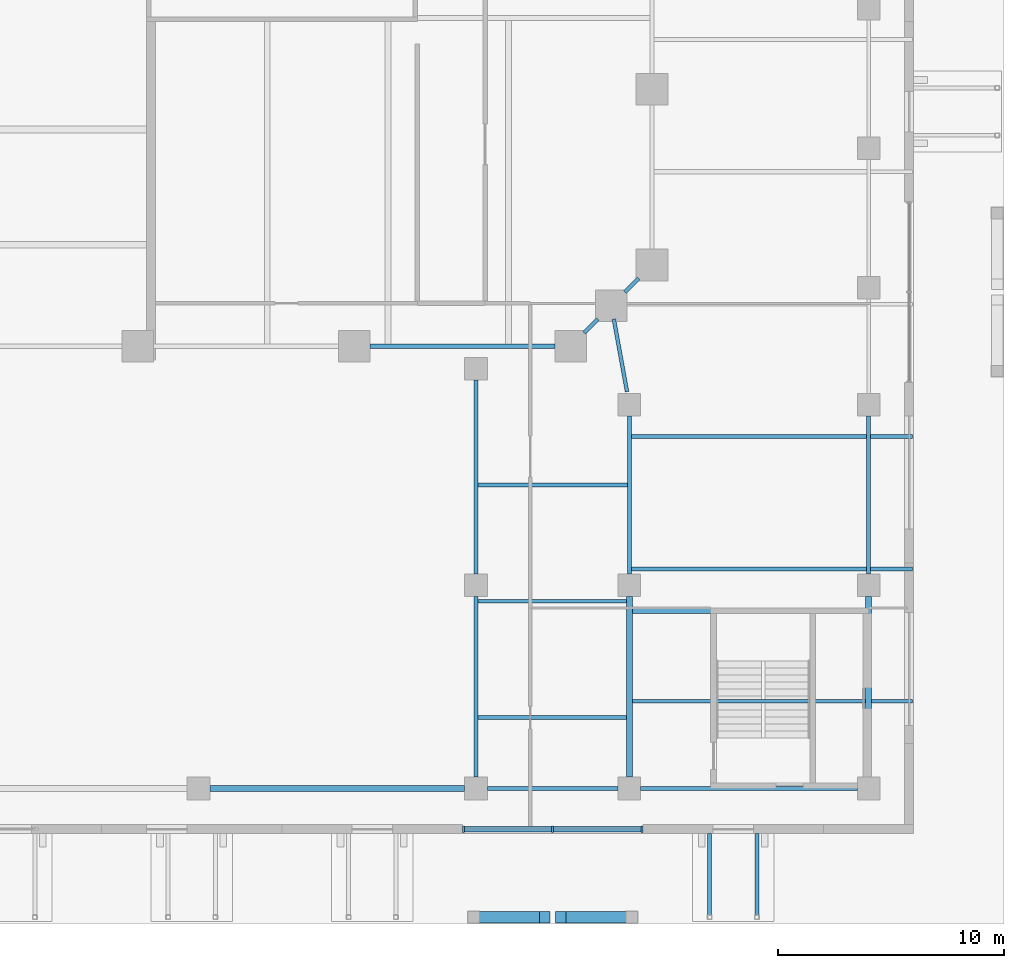
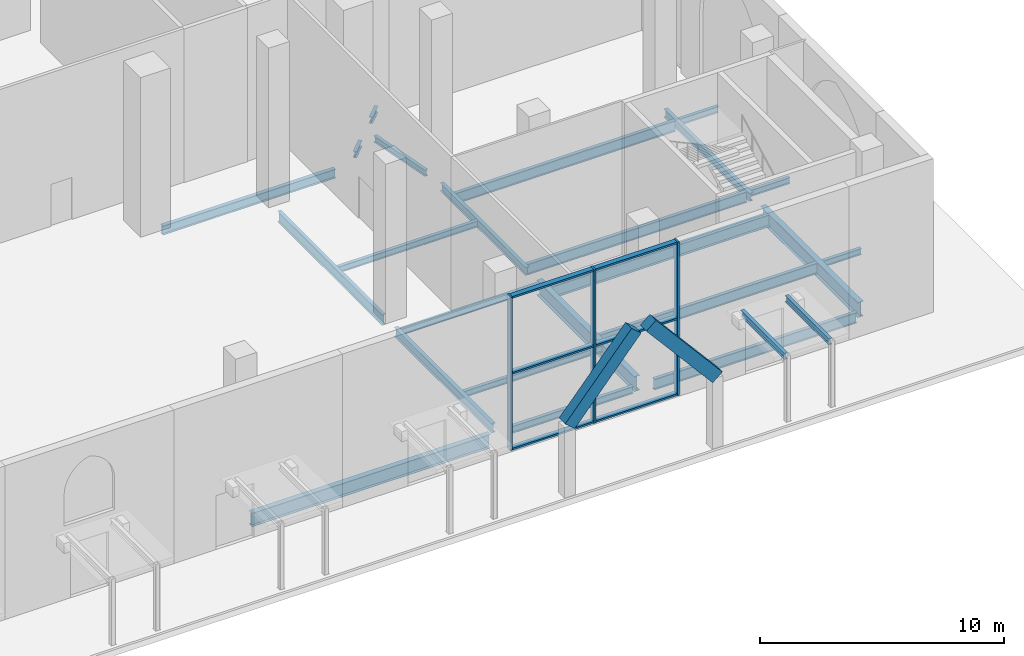
# One storey, part 20 of 38: 25 beams, 11 members, 1 element without a shape of its own.
"""IFC4 building model written with IfcOpenShell, lengths in metres."""

from ifc_helpers import new_model, si_unit, direction, frame, origin, origin_2d, place, context, subcontext, project, spatial, rectangle, i_section, extrude, material, material_profile, profile_set, type_object, element, aggregate, save


model = new_model("IFC4")

# Units and contexts
model_context = context("Model", 3, precision=1e-05, world=origin(), true_north=direction((0.0, 1.0)))
body_context = subcontext(model_context, "Body", "Model", "MODEL_VIEW")
ifc_project = project(units=[si_unit("LENGTHUNIT", "METRE"), si_unit("AREAUNIT", "SQUARE_METRE"), si_unit("VOLUMEUNIT", "CUBIC_METRE"), si_unit("PLANEANGLEUNIT", "RADIAN"), si_unit("MASSUNIT", "GRAM", prefix="KILO")], contexts=[model_context])

# Site, building, storey
site_placement = place(None, origin())
site = spatial("IfcSite", under=ifc_project, at=site_placement, CompositionType="ELEMENT")
building_placement = place(site_placement, origin())
building = spatial("IfcBuilding", under=site, at=building_placement, Name="Ogive Exchange Tower", CompositionType="ELEMENT")
storey_placement = place(building_placement, origin())
storey = spatial("IfcBuildingStorey", under=building, at=storey_placement, Name="L00", CompositionType="ELEMENT", Elevation=0.0)

# Members
ifc_material_1 = material(Name="Concrete C70/85", Category="concrete")
ifc_material_profile_1 = material_profile(ifc_material_1, rectangle(XDim=0.5, YDim=0.60009765625, at=origin_2d()), Name="PC 500x600")
ifc_profile_set_1 = profile_set([ifc_material_profile_1], Name="Concrete C70/85")
member_type_1 = type_object("IfcMemberType", Name="Arch rib 500x600", PredefinedType="USERDEFINED", material=ifc_profile_set_1)
for number, where, z_axis, x_axis, name in (
    (1, (24.5, -55.699951171875, 3.5), (0.64925670005, 0.0, 0.760569350842), (0.0, 1.0, 0.0), "Arch rib"),
    (2, (31.5, -55.699951171875, 3.5), (-0.64925670005, 0.0, 0.760569350842), (0.0, -1.0, 0.0), "Arch rib"),
):
    element("IfcMember", number, at=place(storey_placement, frame(where, z_axis=z_axis, x_axis=x_axis)), inside=storey, type_object=member_type_1, Name=name, ObjectType="ARCH RIB", PredefinedType="USERDEFINED", context=body_context, shape_type="SweptSolid", body=[
        extrude(rectangle(XDim=0.5, YDim=0.60009765625, at=origin_2d()), origin(), (0.0, 0.0, 1.0), 4.8515625),
    ])

# Curtain wall, members
ifc_material_2 = material(Name="Anodised aluminium and clear glass", Category="aluminium")
curtain_wall_type = type_object("IfcCurtainWallType", Name="Exchange hall glazing", PredefinedType="NOTDEFINED", material=ifc_material_2)
curtain_wall_placement = place(storey_placement, origin())
curtain_wall = element("IfcCurtainWall", 3, at=curtain_wall_placement, inside=storey, type_object=curtain_wall_type, Name="Exchange hall glazing run HG10", PredefinedType="NOTDEFINED")
ifc_material_3 = material(Name="Anodised aluminium", Category="aluminium")
ifc_material_profile_2 = material_profile(ifc_material_3, rectangle(XDim=0.300048828125, YDim=0.090087890625, at=origin_2d()), Name="AL 90x300")
ifc_profile_set_2 = profile_set([ifc_material_profile_2], Name="Anodised aluminium")
member_type_2 = type_object("IfcMemberType", Name="Exchange hall glazing mullion 90 x 300", PredefinedType="MULLION", material=ifc_profile_set_2)
member_1_placement = place(storey_placement, frame((24.044921875, -51.800048828125, 0.0), z_axis=(0.0, 0.0, 1.0), x_axis=(0.0, 1.0, 0.0)))
member_1 = element("IfcMember", 4, at=member_1_placement, type_object=member_type_2, Name="HG10 mullion 1", PredefinedType="MULLION", context=body_context, shape_type="SweptSolid", body=[
    extrude(rectangle(XDim=0.300048828125, YDim=0.090087890625, at=origin_2d()), origin(), (0.0, 0.0, 1.0), 7.699951171875),
])
member_2_placement = place(storey_placement, frame((28.0, -51.800048828125, 0.0), z_axis=(0.0, 0.0, 1.0), x_axis=(0.0, 1.0, 0.0)))
member_2 = element("IfcMember", 5, at=member_2_placement, type_object=member_type_2, Name="HG10 mullion 2", PredefinedType="MULLION", context=body_context, shape_type="SweptSolid", body=[
    extrude(rectangle(XDim=0.300048828125, YDim=0.090087890625, at=origin_2d()), origin(), (0.0, 0.0, 1.0), 7.699951171875),
])
member_3_placement = place(storey_placement, frame((31.955078125, -51.800048828125, 0.0), z_axis=(0.0, 0.0, 1.0), x_axis=(0.0, 1.0, 0.0)))
member_3 = element("IfcMember", 6, at=member_3_placement, type_object=member_type_2, Name="HG10 mullion 3", PredefinedType="MULLION", context=body_context, shape_type="SweptSolid", body=[
    extrude(rectangle(XDim=0.300048828125, YDim=0.090087890625, at=origin_2d()), origin(), (0.0, 0.0, 1.0), 7.699951171875),
])
ifc_material_profile_3 = material_profile(ifc_material_3, rectangle(XDim=0.25, YDim=0.090087890625, at=origin_2d()), Name="AL 90x250")
ifc_profile_set_3 = profile_set([ifc_material_profile_3], Name="Anodised aluminium")
member_type_3 = type_object("IfcMemberType", Name="Exchange hall glazing transom 90 x 250", PredefinedType="USERDEFINED", material=ifc_profile_set_3)
member_4_placement = place(storey_placement, frame((24.090087890625, -51.800048828125, 0.044921875), z_axis=(1.0, 0.0, 0.0), x_axis=(0.0, 1.0, 0.0)))
member_4 = element("IfcMember", 7, at=member_4_placement, type_object=member_type_3, Name="HG10 transom 1.1", ObjectType="TRANSOM", PredefinedType="USERDEFINED", context=body_context, shape_type="SweptSolid", body=[
    extrude(rectangle(XDim=0.25, YDim=0.090087890625, at=origin_2d()), origin(), (0.0, 0.0, 1.0), 3.864990234375),
])
member_5_placement = place(storey_placement, frame((24.090087890625, -51.800048828125, 3.85009765625), z_axis=(1.0, 0.0, 0.0), x_axis=(0.0, 1.0, 0.0)))
member_5 = element("IfcMember", 8, at=member_5_placement, type_object=member_type_3, Name="HG10 transom 1.2", ObjectType="TRANSOM", PredefinedType="USERDEFINED", context=body_context, shape_type="SweptSolid", body=[
    extrude(rectangle(XDim=0.25, YDim=0.090087890625, at=origin_2d()), origin(), (0.0, 0.0, 1.0), 3.864990234375),
])
member_6_placement = place(storey_placement, frame((24.090087890625, -51.800048828125, 7.655029296875), z_axis=(1.0, 0.0, 0.0), x_axis=(0.0, 1.0, 0.0)))
member_6 = element("IfcMember", 9, at=member_6_placement, type_object=member_type_3, Name="HG10 transom 1.3", ObjectType="TRANSOM", PredefinedType="USERDEFINED", context=body_context, shape_type="SweptSolid", body=[
    extrude(rectangle(XDim=0.25, YDim=0.090087890625, at=origin_2d()), origin(), (0.0, 0.0, 1.0), 3.864990234375),
])
member_7_placement = place(storey_placement, frame((28.044921875, -51.800048828125, 0.044921875), z_axis=(1.0, 0.0, 0.0), x_axis=(0.0, 1.0, 0.0)))
member_7 = element("IfcMember", 10, at=member_7_placement, type_object=member_type_3, Name="HG10 transom 2.1", ObjectType="TRANSOM", PredefinedType="USERDEFINED", context=body_context, shape_type="SweptSolid", body=[
    extrude(rectangle(XDim=0.25, YDim=0.090087890625, at=origin_2d()), origin(), (0.0, 0.0, 1.0), 3.864990234375),
])
member_8_placement = place(storey_placement, frame((28.044921875, -51.800048828125, 3.85009765625), z_axis=(1.0, 0.0, 0.0), x_axis=(0.0, 1.0, 0.0)))
member_8 = element("IfcMember", 11, at=member_8_placement, type_object=member_type_3, Name="HG10 transom 2.2", ObjectType="TRANSOM", PredefinedType="USERDEFINED", context=body_context, shape_type="SweptSolid", body=[
    extrude(rectangle(XDim=0.25, YDim=0.090087890625, at=origin_2d()), origin(), (0.0, 0.0, 1.0), 3.864990234375),
])
member_9_placement = place(storey_placement, frame((28.044921875, -51.800048828125, 7.655029296875), z_axis=(1.0, 0.0, 0.0), x_axis=(0.0, 1.0, 0.0)))
member_9 = element("IfcMember", 12, at=member_9_placement, type_object=member_type_3, Name="HG10 transom 2.3", ObjectType="TRANSOM", PredefinedType="USERDEFINED", context=body_context, shape_type="SweptSolid", body=[
    extrude(rectangle(XDim=0.25, YDim=0.090087890625, at=origin_2d()), origin(), (0.0, 0.0, 1.0), 3.864990234375),
])
aggregate(curtain_wall, [member_1, member_2, member_3, member_4, member_5, member_6, member_7, member_8, member_9])

# Beams
ifc_material_4 = material(Name="Steel ASTM A992 Gr50", Category="steel")
ifc_material_profile_4 = material_profile(ifc_material_4, i_section(OverallWidth=0.1650390625, OverallDepth=0.31005859375, WebThickness=0.005859375, FlangeThickness=0.009765625, at=origin_2d()), Name="W310x38.7")
ifc_profile_set_4 = profile_set([ifc_material_profile_4], Name="Steel ASTM A992 Gr50")
beam_type_1 = type_object("IfcBeamType", Name="Floor beam W310x38.7", PredefinedType="JOIST", material=ifc_profile_set_4)
beam_1_placement = place(storey_placement, frame((42.133544921875, -46.13330078125, -0.455078125), z_axis=(1.0, 0.0, 0.0), x_axis=(0.0, 1.0, 0.0)))
element("IfcBeam", 13, at=beam_1_placement, inside=storey, type_object=beam_type_1, Name="Floor beam", PredefinedType="JOIST", context=body_context, shape_type="SweptSolid", body=[
    extrude(i_section(OverallWidth=0.1650390625, OverallDepth=0.31005859375, WebThickness=0.005859375, FlangeThickness=0.009765625, at=origin_2d()), origin(), (0.0, 0.0, 1.0), 1.81640625),
])
for number, where, z_axis, x_axis, name in (
    (14, (42.089111328125, -40.2666015625, -0.455078125), (1.0, 0.0, 0.0), (0.0, 1.0, 0.0), "Floor beam"),
    (15, (42.089111328125, -34.39990234375, -0.455078125), (1.0, 0.0, 0.0), (0.0, 1.0, 0.0), "Floor beam"),
):
    element("IfcBeam", number, at=place(storey_placement, frame(where, z_axis=z_axis, x_axis=x_axis)), inside=storey, type_object=beam_type_1, Name=name, PredefinedType="JOIST", context=body_context, shape_type="SweptSolid", body=[
        extrude(i_section(OverallWidth=0.1650390625, OverallDepth=0.31005859375, WebThickness=0.005859375, FlangeThickness=0.009765625, at=origin_2d()), origin(), (0.0, 0.0, 1.0), 1.86083984375),
    ])
for number, where, z_axis, x_axis, name in (
    (16, (24.695556640625, -46.85009765625, -0.455078125), (1.0, 0.0, 0.0), (0.0, 1.0, 0.0), "Floor beam"),
    (17, (24.695556640625, -41.699951171875, -0.455078125), (1.0, 0.0, 0.0), (0.0, 1.0, 0.0), "Floor beam"),
):
    element("IfcBeam", number, at=place(storey_placement, frame(where, z_axis=z_axis, x_axis=x_axis)), inside=storey, type_object=beam_type_1, Name=name, PredefinedType="JOIST", context=body_context, shape_type="SweptSolid", body=[
        extrude(i_section(OverallWidth=0.1650390625, OverallDepth=0.31005859375, WebThickness=0.005859375, FlangeThickness=0.009765625, at=origin_2d()), origin(), (0.0, 0.0, 1.0), 6.571044921875),
    ])
beam_2_placement = place(storey_placement, frame((24.68359375, -36.550048828125, -0.455078125), z_axis=(1.0, 0.0, 0.0), x_axis=(0.0, 1.0, 0.0)))
element("IfcBeam", 18, at=beam_2_placement, inside=storey, type_object=beam_type_1, Name="Floor beam", PredefinedType="JOIST", context=body_context, shape_type="SweptSolid", body=[
    extrude(i_section(OverallWidth=0.1650390625, OverallDepth=0.31005859375, WebThickness=0.005859375, FlangeThickness=0.009765625, at=origin_2d()), origin(), (0.0, 0.0, 1.0), 6.62744140625),
])
ifc_material_profile_5 = material_profile(ifc_material_4, i_section(OverallWidth=0.1669921875, OverallDepth=0.535888671875, WebThickness=0.01025390625, FlangeThickness=0.0166015625, at=origin_2d()), Name="W530x85")
ifc_profile_set_5 = profile_set([ifc_material_profile_5], Name="Steel ASTM A992 Gr50")
beam_type_2 = type_object("IfcBeamType", Name="Floor beam W530x85", PredefinedType="JOIST", material=ifc_profile_set_5)
beam_3_placement = place(storey_placement, frame((31.533447265625, -46.13330078125, -0.568115234375), z_axis=(1.0, 0.0, 0.0), x_axis=(0.0, 1.0, 0.0)))
element("IfcBeam", 19, at=beam_3_placement, inside=storey, type_object=beam_type_2, Name="Floor beam", PredefinedType="JOIST", context=body_context, shape_type="SweptSolid", body=[
    extrude(i_section(OverallWidth=0.1669921875, OverallDepth=0.535888671875, WebThickness=0.01025390625, FlangeThickness=0.0166015625, at=origin_2d()), origin(), (0.0, 0.0, 1.0), 10.3330078125),
])
for number, where, z_axis, x_axis, name in (
    (20, (31.489013671875, -40.2666015625, -0.568115234375), (1.0, 0.0, 0.0), (0.0, 1.0, 0.0), "Floor beam"),
    (21, (31.489013671875, -34.39990234375, -0.568115234375), (1.0, 0.0, 0.0), (0.0, 1.0, 0.0), "Floor beam"),
):
    element("IfcBeam", number, at=place(storey_placement, frame(where, z_axis=z_axis, x_axis=x_axis)), inside=storey, type_object=beam_type_2, Name=name, PredefinedType="JOIST", context=body_context, shape_type="SweptSolid", body=[
        extrude(i_section(OverallWidth=0.1669921875, OverallDepth=0.535888671875, WebThickness=0.01025390625, FlangeThickness=0.0166015625, at=origin_2d()), origin(), (0.0, 0.0, 1.0), 10.421875),
    ])
ifc_material_profile_6 = material_profile(ifc_material_4, i_section(OverallWidth=0.1650390625, OverallDepth=0.31005859375, WebThickness=0.005859375, FlangeThickness=0.009765625, at=origin_2d()), Name="W310x38.7")
ifc_profile_set_6 = profile_set([ifc_material_profile_6], Name="Steel ASTM A992 Gr50")
beam_type_3 = type_object("IfcBeamType", Name="Girder W310x38.7", PredefinedType="BEAM", material=ifc_profile_set_6)
for number, where, z_axis, x_axis, name in (
    (22, (29.39404296875, -29.805908203125, -0.455078125), (0.707247821729, 0.706965712506, 0.0), (-0.706965712506, 0.707247821729, 0.0), "Girder"),
    (23, (31.194091796875, -28.006103515625, -0.455078125), (0.706965712506, 0.707247821729, 0.0), (-0.707247821729, 0.706965712506, 0.0), "Girder"),
):
    element("IfcBeam", number, at=place(storey_placement, frame(where, z_axis=z_axis, x_axis=x_axis)), inside=storey, type_object=beam_type_3, Name=name, PredefinedType="BEAM", context=body_context, shape_type="SweptSolid", body=[
        extrude(i_section(OverallWidth=0.1650390625, OverallDepth=0.31005859375, WebThickness=0.005859375, FlangeThickness=0.009765625, at=origin_2d()), origin(), (0.0, 0.0, 1.0), 0.865478515625),
    ])
beam_4_placement = place(storey_placement, frame((31.292724609375, -32.40966796875, -0.455078125), z_axis=(-0.178911700404, 0.983865134792, 0.0), x_axis=(-0.983865134792, -0.178911700404, 0.0)))
element("IfcBeam", 24, at=beam_4_placement, inside=storey, type_object=beam_type_3, Name="Girder", PredefinedType="BEAM", context=body_context, shape_type="SweptSolid", body=[
    extrude(i_section(OverallWidth=0.1650390625, OverallDepth=0.31005859375, WebThickness=0.005859375, FlangeThickness=0.009765625, at=origin_2d()), origin(), (0.0, 0.0, 1.0), 3.272216796875),
])
for number, where, z_axis, x_axis, name in (
    (25, (34.949951171875, -52.0, 3.14501953125), (0.0, -1.0, 0.0), (1.0, 0.0, 0.0), "Canopy beam"),
    (26, (37.050048828125, -52.0, 3.14501953125), (0.0, -1.0, 0.0), (1.0, 0.0, 0.0), "Canopy beam"),
):
    element("IfcBeam", number, at=place(storey_placement, frame(where, z_axis=z_axis, x_axis=x_axis)), inside=storey, type_object=beam_type_3, Name=name, PredefinedType="BEAM", context=body_context, shape_type="SweptSolid", body=[
        extrude(i_section(OverallWidth=0.1650390625, OverallDepth=0.31005859375, WebThickness=0.005859375, FlangeThickness=0.009765625, at=origin_2d()), origin(), (0.0, 0.0, 1.0), 3.598388671875),
    ])
ifc_material_profile_7 = material_profile(ifc_material_4, i_section(OverallWidth=0.1708984375, OverallDepth=0.35595703125, WebThickness=0.00732421875, FlangeThickness=0.01171875, at=origin_2d()), Name="W360x51")
ifc_profile_set_7 = profile_set([ifc_material_profile_7], Name="Steel ASTM A992 Gr50")
beam_type_4 = type_object("IfcBeamType", Name="Girder W360x51", PredefinedType="BEAM", material=ifc_profile_set_7)
beam_5_placement = place(storey_placement, frame((25.10009765625, -50.0, -0.47802734375), z_axis=(1.0, 0.0, 0.0), x_axis=(0.0, 1.0, 0.0)))
element("IfcBeam", 27, at=beam_5_placement, inside=storey, type_object=beam_type_4, Name="Girder", PredefinedType="BEAM", context=body_context, shape_type="SweptSolid", body=[
    extrude(i_section(OverallWidth=0.1708984375, OverallDepth=0.35595703125, WebThickness=0.00732421875, FlangeThickness=0.01171875, at=origin_2d()), origin(), (0.0, 0.0, 1.0), 5.7998046875),
])
ifc_material_profile_8 = material_profile(ifc_material_4, i_section(OverallWidth=0.177978515625, OverallDepth=0.406005859375, WebThickness=0.0078125, FlangeThickness=0.0126953125, at=origin_2d()), Name="W410x60")
ifc_profile_set_8 = profile_set([ifc_material_profile_8], Name="Steel ASTM A992 Gr50")
beam_type_5 = type_object("IfcBeamType", Name="Girder W410x60", PredefinedType="BEAM", material=ifc_profile_set_8)
for number, where, z_axis, x_axis, name in (
    (28, (31.39990234375, -40.5, -0.5029296875), (0.0, 1.0, 0.0), (-1.0, 0.0, 0.0), "Girder"),
    (29, (42.0, -40.5, -0.5029296875), (0.0, 1.0, 0.0), (-1.0, 0.0, 0.0), "Girder"),
):
    element("IfcBeam", number, at=place(storey_placement, frame(where, z_axis=z_axis, x_axis=x_axis)), inside=storey, type_object=beam_type_5, Name=name, PredefinedType="BEAM", context=body_context, shape_type="SweptSolid", body=[
        extrude(i_section(OverallWidth=0.177978515625, OverallDepth=0.406005859375, WebThickness=0.0078125, FlangeThickness=0.0126953125, at=origin_2d()), origin(), (0.0, 0.0, 1.0), 7.0),
    ])
ifc_material_profile_9 = material_profile(ifc_material_4, i_section(OverallWidth=0.19091796875, OverallDepth=0.45703125, WebThickness=0.009033203125, FlangeThickness=0.014404296875, at=origin_2d()), Name="W460x74")
ifc_profile_set_9 = profile_set([ifc_material_profile_9], Name="Steel ASTM A992 Gr50")
beam_type_6 = type_object("IfcBeamType", Name="Girder W460x74", PredefinedType="BEAM", material=ifc_profile_set_9)
beam_6_placement = place(storey_placement, frame((19.89990234375, -30.39990234375, -0.528564453125), z_axis=(1.0, 0.0, 0.0), x_axis=(0.0, 1.0, 0.0)))
element("IfcBeam", 30, at=beam_6_placement, inside=storey, type_object=beam_type_6, Name="Girder", PredefinedType="BEAM", context=body_context, shape_type="SweptSolid", body=[
    extrude(i_section(OverallWidth=0.19091796875, OverallDepth=0.45703125, WebThickness=0.009033203125, FlangeThickness=0.014404296875, at=origin_2d()), origin(), (0.0, 0.0, 1.0), 8.2001953125),
])
beam_7_placement = place(storey_placement, frame((24.60009765625, -49.5, -0.528564453125), z_axis=(0.0, 1.0, 0.0), x_axis=(-1.0, 0.0, 0.0)))
element("IfcBeam", 31, at=beam_7_placement, inside=storey, type_object=beam_type_6, Name="Girder", PredefinedType="BEAM", context=body_context, shape_type="SweptSolid", body=[
    extrude(i_section(OverallWidth=0.19091796875, OverallDepth=0.45703125, WebThickness=0.009033203125, FlangeThickness=0.014404296875, at=origin_2d()), origin(), (0.0, 0.0, 1.0), 8.0),
])
ifc_material_profile_10 = material_profile(ifc_material_4, i_section(OverallWidth=0.1669921875, OverallDepth=0.535888671875, WebThickness=0.01025390625, FlangeThickness=0.0166015625, at=origin_2d()), Name="W530x85")
ifc_profile_set_10 = profile_set([ifc_material_profile_10], Name="Steel ASTM A992 Gr50")
beam_type_7 = type_object("IfcBeamType", Name="Girder W530x85", PredefinedType="BEAM", material=ifc_profile_set_10)
beam_8_placement = place(storey_placement, frame((24.60009765625, -40.5, -0.568115234375), z_axis=(0.0, 1.0, 0.0), x_axis=(-1.0, 0.0, 0.0)))
element("IfcBeam", 32, at=beam_8_placement, inside=storey, type_object=beam_type_7, Name="Girder", PredefinedType="BEAM", context=body_context, shape_type="SweptSolid", body=[
    extrude(i_section(OverallWidth=0.1669921875, OverallDepth=0.535888671875, WebThickness=0.01025390625, FlangeThickness=0.0166015625, at=origin_2d()), origin(), (0.0, 0.0, 1.0), 8.60009765625),
])
beam_9_placement = place(storey_placement, frame((31.89990234375, -50.0, -0.568115234375), z_axis=(1.0, 0.0, 0.0), x_axis=(0.0, 1.0, 0.0)))
element("IfcBeam", 33, at=beam_9_placement, inside=storey, type_object=beam_type_7, Name="Girder", PredefinedType="BEAM", context=body_context, shape_type="SweptSolid", body=[
    extrude(i_section(OverallWidth=0.1669921875, OverallDepth=0.535888671875, WebThickness=0.01025390625, FlangeThickness=0.0166015625, at=origin_2d()), origin(), (0.0, 0.0, 1.0), 9.60009765625),
])
ifc_material_profile_11 = material_profile(ifc_material_4, i_section(OverallWidth=0.22802734375, OverallDepth=0.60205078125, WebThickness=0.010498046875, FlangeThickness=0.014892578125, at=origin_2d()), Name="W610x101")
ifc_profile_set_11 = profile_set([ifc_material_profile_11], Name="Steel ASTM A992 Gr50")
beam_type_8 = type_object("IfcBeamType", Name="Girder W610x101", PredefinedType="BEAM", material=ifc_profile_set_11)
beam_10_placement = place(storey_placement, frame((31.4775390625, -42.125, -0.60107421875), z_axis=(1.0, 0.0, 0.0), x_axis=(0.0, 1.0, 0.0)))
element("IfcBeam", 34, at=beam_10_placement, inside=storey, type_object=beam_type_8, Name="Girder", PredefinedType="BEAM", context=body_context, shape_type="SweptSolid", body=[
    extrude(i_section(OverallWidth=0.22802734375, OverallDepth=0.60205078125, WebThickness=0.010498046875, FlangeThickness=0.014892578125, at=origin_2d()), origin(), (0.0, 0.0, 1.0), 10.445068359375),
])
ifc_material_profile_12 = material_profile(ifc_material_4, i_section(OverallWidth=0.25390625, OverallDepth=0.677978515625, WebThickness=0.01171875, FlangeThickness=0.016357421875, at=origin_2d()), Name="W690x125")
ifc_profile_set_12 = profile_set([ifc_material_profile_12], Name="Steel ASTM A992 Gr50")
beam_type_9 = type_object("IfcBeamType", Name="Girder W690x125", PredefinedType="BEAM", material=ifc_profile_set_12)
beam_11_placement = place(storey_placement, frame((12.800048828125, -50.0, -0.638916015625), z_axis=(1.0, 0.0, 0.0), x_axis=(0.0, 1.0, 0.0)))
element("IfcBeam", 35, at=beam_11_placement, inside=storey, type_object=beam_type_9, Name="Girder", PredefinedType="BEAM", context=body_context, shape_type="SweptSolid", body=[
    extrude(i_section(OverallWidth=0.25390625, OverallDepth=0.677978515625, WebThickness=0.01171875, FlangeThickness=0.016357421875, at=origin_2d()), origin(), (0.0, 0.0, 1.0), 11.300048828125),
])
ifc_material_profile_13 = material_profile(ifc_material_4, i_section(OverallWidth=0.26708984375, OverallDepth=0.75390625, WebThickness=0.01318359375, FlangeThickness=0.01708984375, at=origin_2d()), Name="W760x147")
ifc_profile_set_13 = profile_set([ifc_material_profile_13], Name="Steel ASTM A992 Gr50")
beam_type_10 = type_object("IfcBeamType", Name="Girder W760x147", PredefinedType="BEAM", material=ifc_profile_set_13)
for number, where, z_axis, x_axis, name in (
    (36, (31.39990234375, -49.5, -0.677001953125), (0.0, 1.0, 0.0), (-1.0, 0.0, 0.0), "Girder"),
    (37, (42.0, -49.5, -0.677001953125), (0.0, 1.0, 0.0), (-1.0, 0.0, 0.0), "Girder"),
):
    element("IfcBeam", number, at=place(storey_placement, frame(where, z_axis=z_axis, x_axis=x_axis)), inside=storey, type_object=beam_type_10, Name=name, PredefinedType="BEAM", context=body_context, shape_type="SweptSolid", body=[
        extrude(i_section(OverallWidth=0.26708984375, OverallDepth=0.75390625, WebThickness=0.01318359375, FlangeThickness=0.01708984375, at=origin_2d()), origin(), (0.0, 0.0, 1.0), 8.0),
    ])

save(model, "model.ifc")
